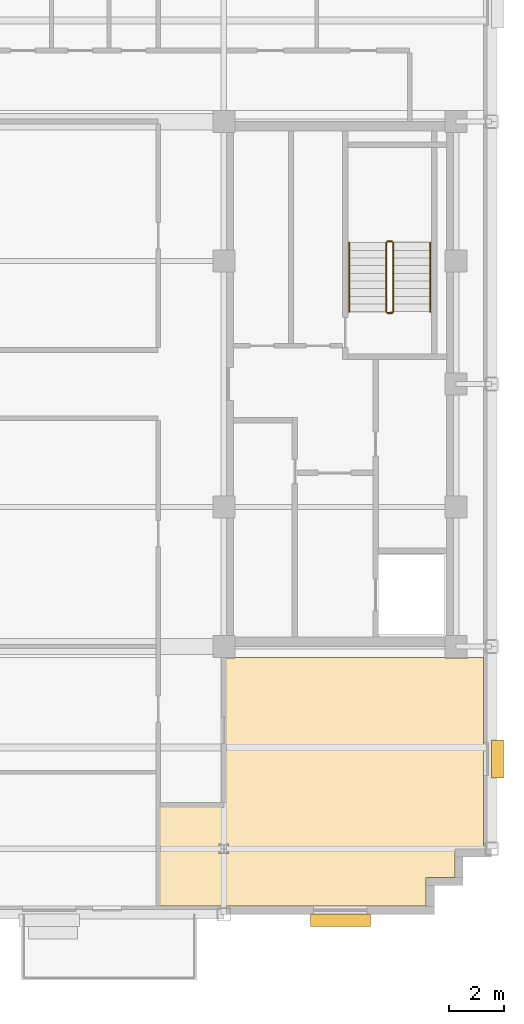
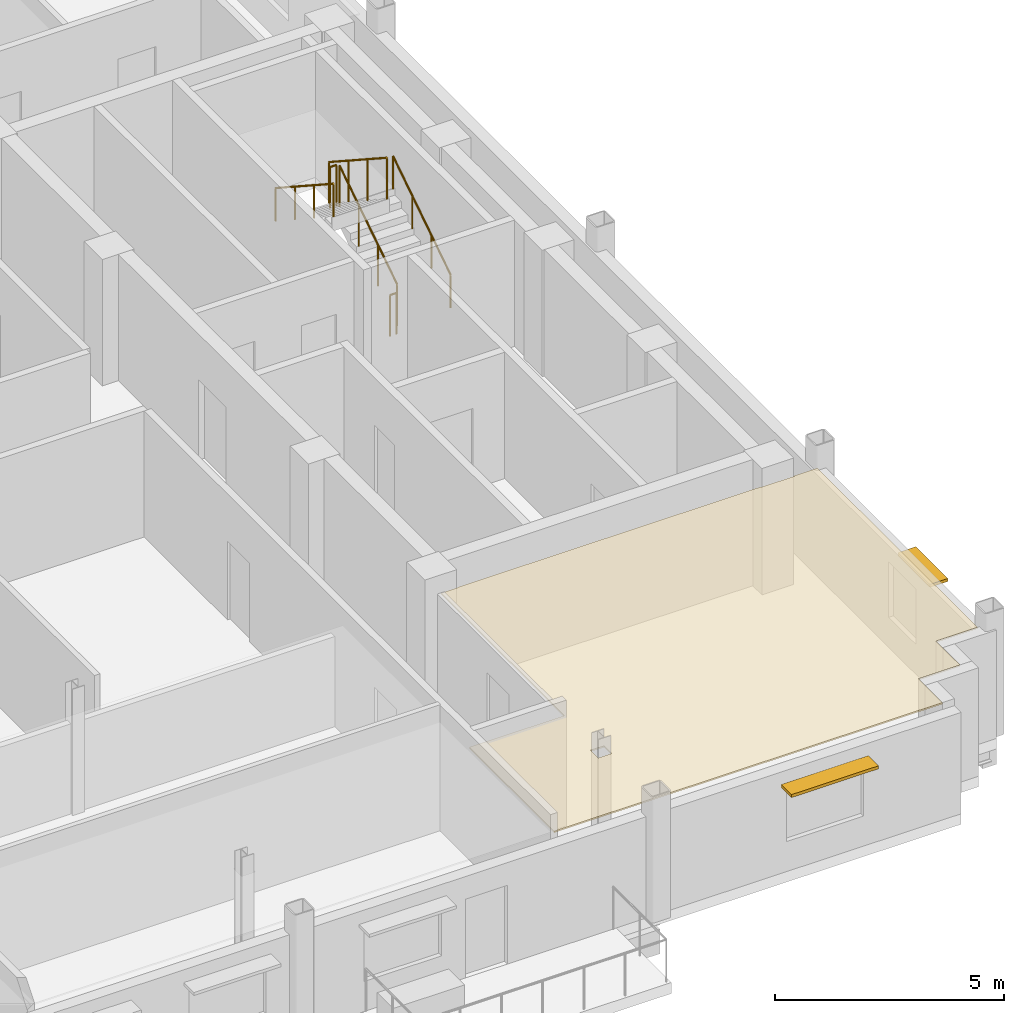
# One storey, part 12 of 13: 6 railings, 2 shading devices, 1 covering.
"""IFC4 building model written with IfcOpenShell, lengths in metres."""

from ifc_helpers import new_model, si_unit, direction, frame, origin, origin_2d, place, context, subcontext, project, spatial, polyline, rectangle, circle, outline, extrude, source, transform, mapped, material, layer, layer_set, type_object, type_shapes, element, save


model = new_model("IFC4")

# Units and contexts
model_context = context("Model", 3, precision=1e-05, world=origin(), true_north=direction((0.0, 1.0)))
body_context = subcontext(model_context, "Body", "Model", "MODEL_VIEW")
ifc_project = project(units=[si_unit("LENGTHUNIT", "METRE"), si_unit("AREAUNIT", "SQUARE_METRE"), si_unit("VOLUMEUNIT", "CUBIC_METRE"), si_unit("PLANEANGLEUNIT", "RADIAN"), si_unit("MASSUNIT", "GRAM", prefix="KILO")], contexts=[model_context])

# Site, building, storey
site_placement = place(None, origin())
site = spatial("IfcSite", under=ifc_project, at=site_placement, CompositionType="ELEMENT")
building_placement = place(site_placement, origin())
building = spatial("IfcBuilding", under=site, at=building_placement, Name="Nuvemarco Arch Tower", CompositionType="ELEMENT")
storey_placement = place(building_placement, frame((0.0, 0.0, 231.050048828125)))
storey = spatial("IfcBuildingStorey", under=building, at=storey_placement, Name="L61", CompositionType="ELEMENT", Elevation=231.050048828125)

# Covering
ifc_material_1 = material(Name="Mineral acoustic ceiling tile")
ifc_layer = layer(ifc_material_1, 0.0400390625, Name="COV-ACOUSTIC-CLG")
ifc_layer_set = layer_set([ifc_layer], Name="Mineral acoustic ceiling tile")
covering_type = type_object("IfcCoveringType", Name="COV-ACOUSTIC-CLG", PredefinedType="CEILING", material=ifc_layer_set)
covering_placement = place(storey_placement, frame((0.0, 0.0, 2.849853515625)))
element("IfcCovering", 1, at=covering_placement, inside=storey, type_object=covering_type, Name="L61 suspended acoustic ceiling 1", PredefinedType="CEILING", context=body_context, shape_type="SweptSolid", body=[
    extrude(outline(polyline([(16.39990234375, -19.10009765625), (6.60009765625, -19.10009765625), (6.60009765625, -15.39990234375), (9.0, -15.39990234375), (9.0, -10.014892578125), (9.4150390625, -10.014892578125), (9.4150390625, -10.0), (17.0849609375, -10.0), (17.0849609375, -10.014892578125), (17.9150390625, -10.014892578125), (17.9150390625, -10.0), (18.5, -10.0), (18.5, -17.0), (17.449951171875, -17.0), (17.449951171875, -18.050048828125), (16.39990234375, -18.050048828125), (16.39990234375, -19.10009765625)]), holes=[polyline([(9.169921875, -17.169921875), (9.169921875, -16.830078125), (8.830078125, -16.830078125), (8.830078125, -17.169921875), (9.169921875, -17.169921875)])]), origin(), (0.0, 0.0, 1.0), 0.0400390625),
])

# Railings
ifc_material_2 = material(Name="Brushed stainless steel handrail", Category="steel")
railing_type_1 = type_object("IfcRailingType", Name="RL-HANDRAIL-900", PredefinedType="HANDRAIL", material=ifc_material_2)
railing_1_placement = place(storey_placement, frame((16.550048828125, 2.64990234375, 0.182373046875)))
element("IfcRailing", 2, at=railing_1_placement, inside=storey, type_object=railing_type_1, Name="L61 ST-2 stair handrail 1", PredefinedType="HANDRAIL", context=body_context, shape_type="SweptSolid", body=[
    extrude(circle(Radius=0.02392578125, at=origin_2d()), frame((0.0, 0.0, 0.8759765625), z_axis=(0.0, 0.837749427056, 0.546054848405), x_axis=(-1.0, 0.0, 0.0)), (0.0, 0.0, 1.0), 3.008056640625),
    extrude(circle(Radius=0.02099609375, at=origin_2d()), origin(), (0.0, 0.0, 1.0), 0.851806640625),
    extrude(circle(Radius=0.02099609375, at=origin_2d()), frame((0.0, 0.840087890625, 0.547607421875)), (0.0, 0.0, 1.0), 0.851806640625),
    extrude(circle(Radius=0.02099609375, at=origin_2d()), frame((0.0, 1.679931640625, 1.094970703125)), (0.0, 0.0, 1.0), 0.851806640625),
    extrude(circle(Radius=0.02099609375, at=origin_2d()), frame((0.0, 2.52001953125, 1.642578125)), (0.0, 0.0, 1.0), 0.851806640625),
])
railing_2_placement = place(storey_placement, frame((13.590087890625, 5.169921875, 2.007568359375)))
element("IfcRailing", 3, at=railing_2_placement, inside=storey, type_object=railing_type_1, Name="L61 ST-2 stair handrail 2", PredefinedType="HANDRAIL", context=body_context, shape_type="SweptSolid", body=[
    extrude(circle(Radius=0.02392578125, at=origin_2d()), frame((0.0, 0.0, 0.8759765625), z_axis=(0.0, -0.837786554691, 0.545997883492), x_axis=(1.0, 0.0, 0.0)), (0.0, 0.0, 1.0), 3.008056640625),
    extrude(circle(Radius=0.02099609375, at=origin_2d()), origin(), (0.0, 0.0, 1.0), 0.851806640625),
    extrude(circle(Radius=0.02099609375, at=origin_2d()), frame((0.0, -0.840087890625, 0.54736328125)), (0.0, 0.0, 1.0), 0.851806640625),
    extrude(circle(Radius=0.02099609375, at=origin_2d()), frame((0.0, -1.679931640625, 1.094970703125)), (0.0, 0.0, 1.0), 0.851806640625),
    extrude(circle(Radius=0.02099609375, at=origin_2d()), frame((0.0, -2.52001953125, 1.642333984375)), (0.0, 0.0, 1.0), 0.851806640625),
])
ifc_material_3 = material(Name="Painted balustrade steel S355", Category="steel")
railing_type_2 = type_object("IfcRailingType", Name="RL-STAIR-GUARD", PredefinedType="GUARDRAIL", material=ifc_material_3)
railing_3_placement = place(storey_placement, frame((15.199951171875, 2.64990234375, 0.182373046875)))
element("IfcRailing", 4, at=railing_3_placement, inside=storey, type_object=railing_type_2, Name="L61 ST-2 stair guard 1", PredefinedType="GUARDRAIL", context=body_context, shape_type="SweptSolid", body=[
    extrude(circle(Radius=0.02392578125, at=origin_2d()), frame((0.0, 0.0, 1.09619140625), z_axis=(0.0, 0.837749427056, 0.546054848405), x_axis=(-1.0, 0.0, 0.0)), (0.0, 0.0, 1.0), 3.008056640625),
    extrude(circle(Radius=0.02099609375, at=origin_2d()), origin(), (0.0, 0.0, 1.0), 1.072021484375),
    extrude(circle(Radius=0.02099609375, at=origin_2d()), frame((0.0, 0.840087890625, 0.547607421875)), (0.0, 0.0, 1.0), 1.072021484375),
    extrude(circle(Radius=0.02099609375, at=origin_2d()), frame((0.0, 1.679931640625, 1.094970703125)), (0.0, 0.0, 1.0), 1.072021484375),
    extrude(circle(Radius=0.02099609375, at=origin_2d()), frame((0.0, 2.52001953125, 1.642578125)), (0.0, 0.0, 1.0), 1.072021484375),
])
railing_4_placement = place(storey_placement, frame((15.14990234375, 5.219970703125, 1.824951171875)))
element("IfcRailing", 5, at=railing_4_placement, inside=storey, type_object=railing_type_2, Name="L61 ST-2 stair guard 2", PredefinedType="GUARDRAIL", context=body_context, shape_type="SweptSolid", body=[
    extrude(circle(Radius=0.02392578125, at=origin_2d()), frame((0.0, 0.0, 1.09619140625), z_axis=(-1.0, 0.0, 0.0), x_axis=(0.0, -1.0, 0.0)), (0.0, 0.0, 1.0), 0.159912109375),
    extrude(circle(Radius=0.02099609375, at=origin_2d()), origin(), (0.0, 0.0, 1.0), 1.072021484375),
    extrude(circle(Radius=0.02099609375, at=origin_2d()), frame((-0.159912109375, 0.0, 0.0)), (0.0, 0.0, 1.0), 1.072021484375),
])
railing_5_placement = place(storey_placement, frame((14.93994140625, 5.169921875, 2.007568359375)))
element("IfcRailing", 6, at=railing_5_placement, inside=storey, type_object=railing_type_2, Name="L61 ST-2 stair guard 3", PredefinedType="GUARDRAIL", context=body_context, shape_type="SweptSolid", body=[
    extrude(circle(Radius=0.02392578125, at=origin_2d()), frame((0.0, 0.0, 1.09619140625), z_axis=(0.0, -0.837786554691, 0.545997883492), x_axis=(1.0, 0.0, 0.0)), (0.0, 0.0, 1.0), 3.008056640625),
    extrude(circle(Radius=0.02099609375, at=origin_2d()), origin(), (0.0, 0.0, 1.0), 1.072021484375),
    extrude(circle(Radius=0.02099609375, at=origin_2d()), frame((0.0, -0.840087890625, 0.54736328125)), (0.0, 0.0, 1.0), 1.072021484375),
    extrude(circle(Radius=0.02099609375, at=origin_2d()), frame((0.0, -1.679931640625, 1.094970703125)), (0.0, 0.0, 1.0), 1.072021484375),
    extrude(circle(Radius=0.02099609375, at=origin_2d()), frame((0.0, -2.52001953125, 1.642333984375)), (0.0, 0.0, 1.0), 1.072021484375),
])
railing_6_placement = place(storey_placement, frame((15.14990234375, 2.60009765625, 0.0)))
element("IfcRailing", 7, at=railing_6_placement, inside=storey, type_object=railing_type_2, Name="L61 ST-2 stair guard 4", PredefinedType="GUARDRAIL", context=body_context, shape_type="SweptSolid", body=[
    extrude(circle(Radius=0.02392578125, at=origin_2d()), frame((0.0, 0.0, 1.09619140625), z_axis=(-1.0, 0.0, 0.0), x_axis=(0.0, -1.0, 0.0)), (0.0, 0.0, 1.0), 0.159912109375),
    extrude(circle(Radius=0.02099609375, at=origin_2d()), origin(), (0.0, 0.0, 1.0), 1.072021484375),
    extrude(circle(Radius=0.02099609375, at=origin_2d()), frame((-0.159912109375, 0.0, 0.0)), (0.0, 0.0, 1.0), 1.072021484375),
])

# Shading devices
ifc_material_4 = material(Name="Anodised aluminium 6063-T6", Category="aluminium")
shading_device_type_1 = type_object("IfcShadingDeviceType", Name="SHD-BRISE-SOLEIL", PredefinedType="USERDEFINED", material=ifc_material_4)
shared_shape_1 = source(origin(), body_context, "Body", "SweptSolid", [
    extrude(rectangle(XDim=2.199951171875, YDim=0.449951171875, at=origin_2d()), origin(), (0.0, 0.0, 1.0), 0.080078125),
])
type_shapes(shading_device_type_1, [shared_shape_1])
shading_device_1_placement = place(storey_placement, frame((13.262451171875, -19.614990234375, 2.284912109375), z_axis=(0.0, 0.0, 1.0), x_axis=(1.0, 0.0, 0.0)))
element("IfcShadingDevice", 8, at=shading_device_1_placement, inside=storey, type_object=shading_device_type_1, Name="L61 horizontal brise-soleil sunshade", ObjectType="SUNSHADE", PredefinedType="USERDEFINED", context=body_context, shape_type="MappedRepresentation", body=[
    mapped(shared_shape_1, transform((0.0, 0.0, 0.0), scale=1.0)),
])
shading_device_type_2 = type_object("IfcShadingDeviceType", Name="SHD-BRISE-NARROW", PredefinedType="USERDEFINED", material=ifc_material_4)
shared_shape_2 = source(origin(), body_context, "Body", "SweptSolid", [
    extrude(rectangle(XDim=1.39990234375, YDim=0.449951171875, at=origin_2d()), origin(), (0.0, 0.0, 1.0), 0.080078125),
])
type_shapes(shading_device_type_2, [shared_shape_2])
shading_device_2_placement = place(storey_placement, frame((19.014892578125, -13.7177734375, 2.284912109375), z_axis=(0.0, 0.0, 1.0), x_axis=(0.0, 1.0, 0.0)))
element("IfcShadingDevice", 9, at=shading_device_2_placement, inside=storey, type_object=shading_device_type_2, Name="L61 horizontal brise-soleil sunshade", ObjectType="SUNSHADE", PredefinedType="USERDEFINED", context=body_context, shape_type="MappedRepresentation", body=[
    mapped(shared_shape_2, transform((0.0, 0.0, 0.0), scale=1.0)),
])

save(model, "model.ifc")
